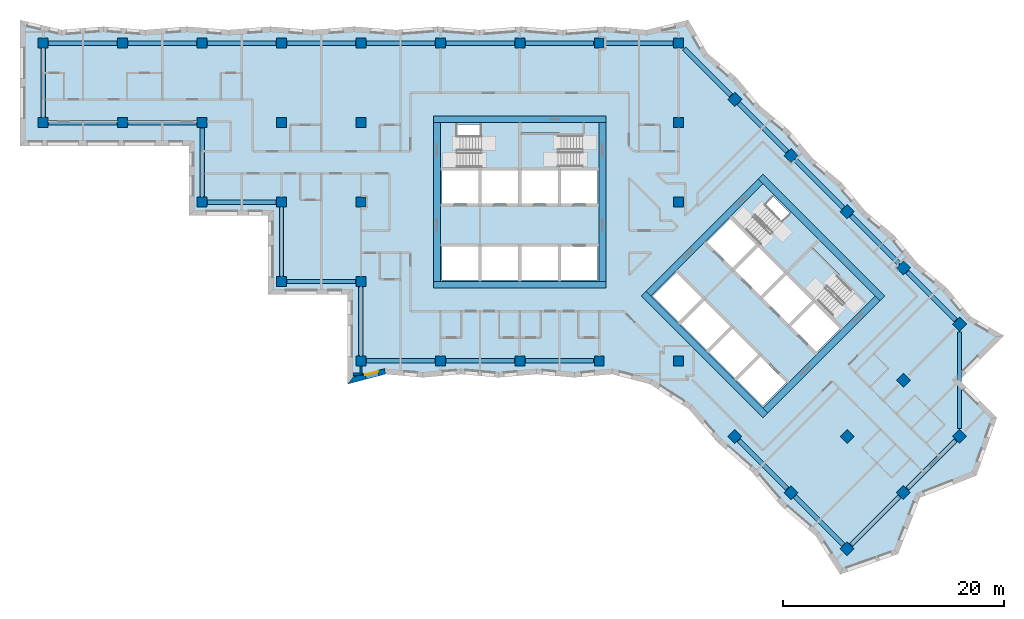
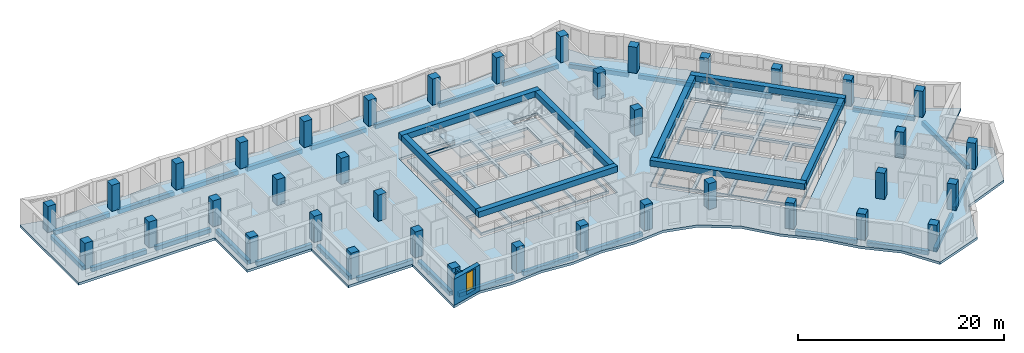
# One storey, part 1 of 12: 38 columns, 37 beams, 7 slabs, 3 walls, 1 window, 23 openings, 4 elements without a shape of their own.
"""IFC4 building model written with IfcOpenShell, lengths in metres."""

from ifc_helpers import new_model, si_unit, direction, frame, frame_2d, origin, origin_2d, place, context, subcontext, project, spatial, polyline, rectangle, outline, extrude, material, layer, layer_set, material_profile, profile_set, type_object, element, fill, aggregate, save


model = new_model("IFC4")

# Units and contexts
model_context = context("Model", 3, precision=1e-05, world=origin(), true_north=direction((0.0, 1.0)))
body_context = subcontext(model_context, "Body", "Model", "MODEL_VIEW")
ifc_project = project(units=[si_unit("LENGTHUNIT", "METRE"), si_unit("AREAUNIT", "SQUARE_METRE"), si_unit("VOLUMEUNIT", "CUBIC_METRE"), si_unit("PLANEANGLEUNIT", "RADIAN"), si_unit("MASSUNIT", "GRAM", prefix="KILO")], contexts=[model_context])

# Site, building, storey
site_placement = place(None, origin())
site = spatial("IfcSite", under=ifc_project, at=site_placement, CompositionType="ELEMENT")
building_placement = place(site_placement, origin())
building = spatial("IfcBuilding", under=site, at=building_placement, Name="Windrow Commons", CompositionType="ELEMENT")
storey_placement = place(building_placement, frame((0.0, 0.0, 135.4)))
storey = spatial("IfcBuildingStorey", under=building, at=storey_placement, Name="L36", CompositionType="ELEMENT", Elevation=135.4)

# Columns
ifc_material_1 = material(Name="Concrete C50/60", Category="concrete")
ifc_material_profile_1 = material_profile(ifc_material_1, rectangle(XDim=0.9, YDim=0.9, at=origin_2d()))
ifc_profile_set_1 = profile_set([ifc_material_profile_1], Name="Concrete C50/60")
column_type = type_object("IfcColumnType", Name="RC COLUMN 900x900 C50/60", PredefinedType="COLUMN", material=ifc_profile_set_1)
for number, where, z_axis, x_axis, name in (
    (1, (21.6, 64.8, 0.0), (0.0, 0.0, 1.0), (1.0, 0.0, 0.0), "C-Z3-04I"),
    (2, (21.6, 72.0, 0.0), (0.0, 0.0, 1.0), (1.0, 0.0, 0.0), "C-Z3-04J"),
    (3, (28.8, 64.8, 0.0), (0.0, 0.0, 1.0), (1.0, 0.0, 0.0), "C-Z3-05I"),
    (4, (28.8, 72.0, 0.0), (0.0, 0.0, 1.0), (1.0, 0.0, 0.0), "C-Z3-05J"),
    (5, (36.0, 57.6, 0.0), (0.0, 0.0, 1.0), (1.0, 0.0, 0.0), "C-Z3-06H"),
    (6, (36.0, 64.8, 0.0), (0.0, 0.0, 1.0), (1.0, 0.0, 0.0), "C-Z3-06I"),
    (7, (36.0, 72.0, 0.0), (0.0, 0.0, 1.0), (1.0, 0.0, 0.0), "C-Z3-06J"),
    (8, (43.2, 50.4, 0.0), (0.0, 0.0, 1.0), (1.0, 0.0, 0.0), "C-Z3-07G"),
    (9, (43.2, 57.6, 0.0), (0.0, 0.0, 1.0), (1.0, 0.0, 0.0), "C-Z3-07H"),
    (10, (43.2, 64.8, 0.0), (0.0, 0.0, 1.0), (1.0, 0.0, 0.0), "C-Z3-07I"),
    (11, (43.2, 72.0, 0.0), (0.0, 0.0, 1.0), (1.0, 0.0, 0.0), "C-Z3-07J"),
    (12, (50.4, 43.2, 0.0), (0.0, 0.0, 1.0), (1.0, 0.0, 0.0), "C-Z3-08F"),
    (13, (50.4, 50.4, 0.0), (0.0, 0.0, 1.0), (1.0, 0.0, 0.0), "C-Z3-08G"),
    (14, (50.4, 57.6, 0.0), (0.0, 0.0, 1.0), (1.0, 0.0, 0.0), "C-Z3-08H"),
    (15, (50.4, 64.8, 0.0), (0.0, 0.0, 1.0), (1.0, 0.0, 0.0), "C-Z3-08I"),
    (16, (50.4, 72.0, 0.0), (0.0, 0.0, 1.0), (1.0, 0.0, 0.0), "C-Z3-08J"),
    (17, (57.6, 43.2, 0.0), (0.0, 0.0, 1.0), (1.0, 0.0, 0.0), "C-Z3-09F"),
    (18, (57.6, 72.0, 0.0), (0.0, 0.0, 1.0), (1.0, 0.0, 0.0), "C-Z3-09J"),
    (19, (64.8, 43.2, 0.0), (0.0, 0.0, 1.0), (1.0, 0.0, 0.0), "C-Z3-10F"),
    (20, (64.8, 72.0, 0.0), (0.0, 0.0, 1.0), (1.0, 0.0, 0.0), "C-Z3-10J"),
    (21, (72.0, 43.2, 0.0), (0.0, 0.0, 1.0), (1.0, 0.0, 0.0), "C-Z3-11F"),
    (22, (72.0, 72.0, 0.0), (0.0, 0.0, 1.0), (1.0, 0.0, 0.0), "C-Z3-11J"),
    (23, (79.2, 43.2, 0.0), (0.0, 0.0, 1.0), (1.0, 0.0, 0.0), "C-Z3-12F"),
    (24, (79.2, 57.6, 0.0), (0.0, 0.0, 1.0), (1.0, 0.0, 0.0), "C-Z3-12H"),
    (25, (79.2, 64.8, 0.0), (0.0, 0.0, 1.0), (1.0, 0.0, 0.0), "C-Z3-12I"),
    (26, (79.2, 72.0, 0.0), (0.0, 0.0, 1.0), (1.0, 0.0, 0.0), "C-Z3-12J"),
    (27, (84.2912, 66.9088, 0.0), (0.0, 0.0, 1.0), (0.7071067812, -0.7071067812, 0.0), "C-Z3-P2Q"),
    (28, (89.3823, 61.8177, 0.0), (0.0, 0.0, 1.0), (0.7071067812, -0.7071067812, 0.0), "C-Z3-P3Q"),
    (29, (94.4735, 56.7265, 0.0), (0.0, 0.0, 1.0), (0.7071067812, -0.7071067812, 0.0), "C-Z3-P4Q"),
    (30, (99.5647, 51.6353, 0.0), (0.0, 0.0, 1.0), (0.7071067812, -0.7071067812, 0.0), "C-Z3-P5Q"),
    (31, (84.2912, 36.3618, 0.0), (0.0, 0.0, 1.0), (0.7071067812, -0.7071067812, 0.0), "C-Z3-P5T"),
    (32, (104.6558, 46.5442, 0.0), (0.0, 0.0, 1.0), (0.7071067812, -0.7071067812, 0.0), "C-Z3-P6Q"),
    (33, (99.5647, 41.453, 0.0), (0.0, 0.0, 1.0), (0.7071067812, -0.7071067812, 0.0), "C-Z3-P6R"),
    (34, (94.4735, 36.3618, 0.0), (0.0, 0.0, 1.0), (0.7071067812, -0.7071067812, 0.0), "C-Z3-P6S"),
    (35, (89.3823, 31.2706, 0.0), (0.0, 0.0, 1.0), (0.7071067812, -0.7071067812, 0.0), "C-Z3-P6T"),
    (36, (104.6558, 36.3618, 0.0), (0.0, 0.0, 1.0), (0.7071067812, -0.7071067812, 0.0), "C-Z3-P7R"),
    (37, (99.5647, 31.2706, 0.0), (0.0, 0.0, 1.0), (0.7071067812, -0.7071067812, 0.0), "C-Z3-P7S"),
    (38, (94.4735, 26.1795, 0.0), (0.0, 0.0, 1.0), (0.7071067812, -0.7071067812, 0.0), "C-Z3-P7T"),
):
    element("IfcColumn", number, at=place(storey_placement, frame(where, z_axis=z_axis, x_axis=x_axis)), inside=storey, type_object=column_type, Name=name, PredefinedType="COLUMN", context=body_context, shape_type="SweptSolid", body=[
        extrude(rectangle(XDim=0.9, YDim=0.9, at=origin_2d()), origin(), (0.0, 0.0, 1.0), 3.1),
    ])

# Beams
ifc_material_2 = material(Name="Concrete C50/60", Category="concrete")
ifc_material_profile_2 = material_profile(ifc_material_2, rectangle(XDim=0.6, YDim=0.7, at=origin_2d()))
ifc_profile_set_2 = profile_set([ifc_material_profile_2], Name="Concrete C50/60")
beam_type_1 = type_object("IfcBeamType", Name="RC COUPLING BEAM 600x700 C50/60", PredefinedType="LINTEL", material=ifc_profile_set_2)
for number, where, z_axis, x_axis, name in (
    (39, (57.0, 50.1, 2.75), (1.0, 0.0, 0.0), (0.0, 1.0, 0.0), "Core A coupling beam outer-S"),
    (40, (57.0, 65.1, 2.75), (1.0, 0.0, 0.0), (0.0, 1.0, 0.0), "Core A coupling beam outer-N"),
):
    element("IfcBeam", number, at=place(storey_placement, frame(where, z_axis=z_axis, x_axis=x_axis)), inside=storey, type_object=beam_type_1, Name=name, PredefinedType="LINTEL", context=body_context, shape_type="SweptSolid", body=[
        extrude(rectangle(XDim=0.6, YDim=0.7, at=origin_2d()), origin(), (0.0, 0.0, 1.0), 15.6),
    ])
for number, where, z_axis, x_axis, name in (
    (41, (57.3, 50.4, 2.75), (0.0, 1.0, 0.0), (-1.0, 0.0, 0.0), "Core A coupling beam outer-W"),
    (42, (72.3, 50.4, 2.75), (0.0, 1.0, 0.0), (-1.0, 0.0, 0.0), "Core A coupling beam outer-E"),
):
    element("IfcBeam", number, at=place(storey_placement, frame(where, z_axis=z_axis, x_axis=x_axis)), inside=storey, type_object=beam_type_1, Name=name, PredefinedType="LINTEL", context=body_context, shape_type="SweptSolid", body=[
        extrude(rectangle(XDim=0.6, YDim=0.7, at=origin_2d()), origin(), (0.0, 0.0, 1.0), 14.4),
    ])
for number, where, z_axis, x_axis, name in (
    (43, (76.018, 49.3019, 2.75), (0.7071067812, -0.7071067812, 0.0), (0.7071067812, 0.7071067812, 0.0), "Core B coupling beam outer-S"),
    (44, (86.6246, 59.9085, 2.75), (0.7071067812, -0.7071067812, 0.0), (0.7071067812, 0.7071067812, 0.0), "Core B coupling beam outer-N"),
):
    element("IfcBeam", number, at=place(storey_placement, frame(where, z_axis=z_axis, x_axis=x_axis)), inside=storey, type_object=beam_type_1, Name=name, PredefinedType="LINTEL", context=body_context, shape_type="SweptSolid", body=[
        extrude(rectangle(XDim=0.6, YDim=0.7, at=origin_2d()), origin(), (0.0, 0.0, 1.0), 15.6),
    ])
for number, where, z_axis, x_axis, name in (
    (45, (76.4423, 49.3019, 2.75), (0.7071067812, 0.7071067812, 0.0), (-0.7071067812, 0.7071067812, 0.0), "Core B coupling beam outer-W"),
    (46, (87.0489, 38.6953, 2.75), (0.7071067812, 0.7071067812, 0.0), (-0.7071067812, 0.7071067812, 0.0), "Core B coupling beam outer-E"),
):
    element("IfcBeam", number, at=place(storey_placement, frame(where, z_axis=z_axis, x_axis=x_axis)), inside=storey, type_object=beam_type_1, Name=name, PredefinedType="LINTEL", context=body_context, shape_type="SweptSolid", body=[
        extrude(rectangle(XDim=0.6, YDim=0.7, at=origin_2d()), origin(), (0.0, 0.0, 1.0), 14.3999),
    ])
ifc_material_3 = material(Name="Concrete C50/60", Category="concrete")
ifc_material_profile_3 = material_profile(ifc_material_3, rectangle(XDim=0.4, YDim=0.5, at=origin_2d()))
ifc_profile_set_3 = profile_set([ifc_material_profile_3], Name="Concrete C50/60")
beam_type_2 = type_object("IfcBeamType", Name="RC EDGE BEAM 400x500 C50/60", PredefinedType="SPANDREL", material=ifc_profile_set_3)
for number, where, z_axis, x_axis, name in (
    (47, (36.0, 58.1, -0.55), (0.0, 1.0, 0.0), (-1.0, 0.0, 0.0), "Edge beam L36 001"),
    (48, (35.5, 64.8, -0.55), (-1.0, 0.0, 0.0), (0.0, -1.0, 0.0), "Edge beam L36 002"),
    (49, (28.3, 64.8, -0.55), (-1.0, 0.0, 0.0), (0.0, -1.0, 0.0), "Edge beam L36 003"),
    (50, (21.6, 65.3, -0.55), (0.0, 1.0, 0.0), (-1.0, 0.0, 0.0), "Edge beam L36 004"),
    (51, (22.1, 72.0, -0.55), (1.0, 0.0, 0.0), (0.0, 1.0, 0.0), "Edge beam L36 005"),
    (52, (29.3, 72.0, -0.55), (1.0, 0.0, 0.0), (0.0, 1.0, 0.0), "Edge beam L36 006"),
    (53, (36.5, 72.0, -0.55), (1.0, 0.0, 0.0), (0.0, 1.0, 0.0), "Edge beam L36 007"),
    (54, (43.7, 72.0, -0.55), (1.0, 0.0, 0.0), (0.0, 1.0, 0.0), "Edge beam L36 008"),
    (55, (50.9, 72.0, -0.55), (1.0, 0.0, 0.0), (0.0, 1.0, 0.0), "Edge beam L36 009"),
    (56, (58.1, 72.0, -0.55), (1.0, 0.0, 0.0), (0.0, 1.0, 0.0), "Edge beam L36 010"),
    (57, (65.3, 72.0, -0.55), (1.0, 0.0, 0.0), (0.0, 1.0, 0.0), "Edge beam L36 011"),
    (58, (72.5, 72.0, -0.55), (1.0, 0.0, 0.0), (0.0, 1.0, 0.0), "Edge beam L36 012"),
):
    element("IfcBeam", number, at=place(storey_placement, frame(where, z_axis=z_axis, x_axis=x_axis)), inside=storey, type_object=beam_type_2, Name=name, PredefinedType="SPANDREL", context=body_context, shape_type="SweptSolid", body=[
        extrude(rectangle(XDim=0.4, YDim=0.5, at=origin_2d()), origin(), (0.0, 0.0, 1.0), 6.2),
    ])
beam_1_placement = place(storey_placement, frame((79.7, 71.5, -0.55), z_axis=(0.7071067812, -0.7071067812, 0.0), x_axis=(0.7071067812, 0.7071067812, 0.0)))
element("IfcBeam", 59, at=beam_1_placement, inside=storey, type_object=beam_type_2, Name="Edge beam L36 013", PredefinedType="SPANDREL", context=body_context, shape_type="SweptSolid", body=[
    extrude(rectangle(XDim=0.4, YDim=0.5, at=origin_2d()), origin(), (0.0, 0.0, 1.0), 5.9929),
])
beam_2_placement = place(storey_placement, frame((84.6448, 66.5552, -0.55), z_axis=(0.7071067812, -0.7071067812, 0.0), x_axis=(0.7071067812, 0.7071067812, 0.0)))
element("IfcBeam", 60, at=beam_2_placement, inside=storey, type_object=beam_type_2, Name="Edge beam L36 014", PredefinedType="SPANDREL", context=body_context, shape_type="SweptSolid", body=[
    extrude(rectangle(XDim=0.4, YDim=0.5, at=origin_2d()), origin(), (0.0, 0.0, 1.0), 6.1998),
])
for number, where, z_axis, x_axis, name in (
    (61, (89.7359, 61.4641, -0.55), (0.7071067812, -0.7071067812, 0.0), (0.7071067812, 0.7071067812, 0.0), "Edge beam L36 015"),
    (62, (94.8271, 56.3729, -0.55), (0.7071067812, -0.7071067812, 0.0), (0.7071067812, 0.7071067812, 0.0), "Edge beam L36 016"),
):
    element("IfcBeam", number, at=place(storey_placement, frame(where, z_axis=z_axis, x_axis=x_axis)), inside=storey, type_object=beam_type_2, Name=name, PredefinedType="SPANDREL", context=body_context, shape_type="SweptSolid", body=[
        extrude(rectangle(XDim=0.4, YDim=0.5, at=origin_2d()), origin(), (0.0, 0.0, 1.0), 6.1999),
    ])
beam_3_placement = place(storey_placement, frame((99.9183, 51.2817, -0.55), z_axis=(0.7071067812, -0.7071067812, 0.0), x_axis=(0.7071067812, 0.7071067812, 0.0)))
element("IfcBeam", 63, at=beam_3_placement, inside=storey, type_object=beam_type_2, Name="Edge beam L36 017", PredefinedType="SPANDREL", context=body_context, shape_type="SweptSolid", body=[
    extrude(rectangle(XDim=0.4, YDim=0.5, at=origin_2d()), origin(), (0.0, 0.0, 1.0), 6.1998),
])
beam_4_placement = place(storey_placement, frame((104.6558, 45.8371, -0.55), z_axis=(0.0, -1.0, 0.0), x_axis=(1.0, 0.0, 0.0)))
element("IfcBeam", 64, at=beam_4_placement, inside=storey, type_object=beam_type_2, Name="Edge beam L36 018", PredefinedType="SPANDREL", context=body_context, shape_type="SweptSolid", body=[
    extrude(rectangle(XDim=0.4, YDim=0.5, at=origin_2d()), origin(), (0.0, 0.0, 1.0), 8.7682),
])
for number, where, z_axis, x_axis, name in (
    (65, (104.3022, 36.0082, -0.55), (-0.7070987164, -0.7071148459, 0.0), (0.7071148459, -0.7070987164, 0.0), "Edge beam L36 019"),
    (66, (99.2111, 30.917, -0.55), (-0.7071148459, -0.7070987164, 0.0), (0.7070987164, -0.7071148459, 0.0), "Edge beam L36 020"),
    (67, (94.1199, 26.5331, -0.55), (-0.7071148459, 0.7070987164, 0.0), (-0.7070987164, -0.7071148459, 0.0), "Edge beam L36 021"),
    (68, (89.0287, 31.6242, -0.55), (-0.7070987164, 0.7071148459, 0.0), (-0.7071148459, -0.7070987164, 0.0), "Edge beam L36 022"),
):
    element("IfcBeam", number, at=place(storey_placement, frame(where, z_axis=z_axis, x_axis=x_axis)), inside=storey, type_object=beam_type_2, Name=name, PredefinedType="SPANDREL", context=body_context, shape_type="SweptSolid", body=[
        extrude(rectangle(XDim=0.4, YDim=0.5, at=origin_2d()), origin(), (0.0, 0.0, 1.0), 6.1998),
    ])
for number, where, z_axis, x_axis, name in (
    (69, (71.5, 43.2, -0.55), (-1.0, 0.0, 0.0), (0.0, -1.0, 0.0), "Edge beam L36 023"),
    (70, (64.3, 43.2, -0.55), (-1.0, 0.0, 0.0), (0.0, -1.0, 0.0), "Edge beam L36 024"),
    (71, (57.1, 43.2, -0.55), (-1.0, 0.0, 0.0), (0.0, -1.0, 0.0), "Edge beam L36 025"),
    (72, (50.4, 43.7, -0.55), (0.0, 1.0, 0.0), (-1.0, 0.0, 0.0), "Edge beam L36 026"),
    (73, (49.9, 50.4, -0.55), (-1.0, 0.0, 0.0), (0.0, -1.0, 0.0), "Edge beam L36 027"),
    (74, (43.2, 50.9, -0.55), (0.0, 1.0, 0.0), (-1.0, 0.0, 0.0), "Edge beam L36 028"),
    (75, (42.7, 57.6, -0.55), (-1.0, 0.0, 0.0), (0.0, -1.0, 0.0), "Edge beam L36 029"),
):
    element("IfcBeam", number, at=place(storey_placement, frame(where, z_axis=z_axis, x_axis=x_axis)), inside=storey, type_object=beam_type_2, Name=name, PredefinedType="SPANDREL", context=body_context, shape_type="SweptSolid", body=[
        extrude(rectangle(XDim=0.4, YDim=0.5, at=origin_2d()), origin(), (0.0, 0.0, 1.0), 6.2),
    ])

# Slab, openings
ifc_material_4 = material(Name="Concrete C50/60", Category="concrete")
ifc_layer_1 = layer(ifc_material_4, 0.3)
ifc_layer_set_1 = layer_set([ifc_layer_1], Name="CORE FLOOR SLAB 300 C50/60")
slab_type_1 = type_object("IfcSlabType", Name="CORE FLOOR SLAB 300 C50/60", PredefinedType="FLOOR", material=ifc_layer_set_1)
placement_1 = place(storey_placement, frame((0.0, 0.0, -0.3)))
slab_1 = element("IfcSlab", 76, at=placement_1, inside=storey, type_object=slab_type_1, Name="S-L36-core-A", PredefinedType="FLOOR", context=body_context, shape_type="SweptSolid", body=[
    extrude(outline(polyline([(57.6, 50.4), (72.0, 50.4), (72.0, 64.8), (57.6, 64.8), (57.6, 50.4)]), holes=[polyline([(57.75, 50.55), (61.05, 50.55), (61.05, 53.55), (57.75, 53.55), (57.75, 50.55)]), polyline([(61.35, 50.55), (64.65, 50.55), (64.65, 53.55), (61.35, 53.55), (61.35, 50.55)]), polyline([(64.95, 50.55), (68.25, 50.55), (68.25, 53.55), (64.95, 53.55), (64.95, 50.55)]), polyline([(68.55, 50.55), (71.85, 50.55), (71.85, 53.55), (68.55, 53.55), (68.55, 50.55)]), polyline([(57.75, 57.45), (61.05, 57.45), (61.05, 60.45), (57.75, 60.45), (57.75, 57.45)]), polyline([(61.35, 57.45), (64.65, 57.45), (64.65, 60.45), (61.35, 60.45), (61.35, 57.45)]), polyline([(64.95, 57.45), (68.25, 57.45), (68.25, 60.45), (64.95, 60.45), (64.95, 57.45)]), polyline([(68.55, 57.45), (71.85, 57.45), (71.85, 60.45), (68.55, 60.45), (68.55, 57.45)]), polyline([(59.1, 60.75), (64.65, 60.75), (64.65, 64.65), (59.1, 64.65), (59.1, 60.75)]), polyline([(64.95, 60.75), (70.5, 60.75), (70.5, 63.705), (64.95, 63.705), (64.95, 60.75)])]), origin(), (0.0, 0.0, 1.0), 0.3),
])
opening_1_placement = place(placement_1, origin())
element("IfcOpeningElement", 77, at=opening_1_placement, cuts=slab_1, Name="Slab opening S-L36-core-A 1", PredefinedType="OPENING", context=body_context, shape_type="SweptSolid", body=[
    extrude(outline(polyline([(57.755, 50.555), (57.755, 53.545), (61.045, 53.545), (61.045, 50.555), (57.755, 50.555)])), origin(), (0.0, 0.0, 1.0), 0.3),
])
opening_2_placement = place(placement_1, origin())
element("IfcOpeningElement", 78, at=opening_2_placement, cuts=slab_1, Name="Slab opening S-L36-core-A 2", PredefinedType="OPENING", context=body_context, shape_type="SweptSolid", body=[
    extrude(outline(polyline([(61.355, 50.555), (61.355, 53.545), (64.645, 53.545), (64.645, 50.555), (61.355, 50.555)])), origin(), (0.0, 0.0, 1.0), 0.3),
])
opening_3_placement = place(placement_1, origin())
element("IfcOpeningElement", 79, at=opening_3_placement, cuts=slab_1, Name="Slab opening S-L36-core-A 3", PredefinedType="OPENING", context=body_context, shape_type="SweptSolid", body=[
    extrude(outline(polyline([(64.955, 50.555), (64.955, 53.545), (68.245, 53.545), (68.245, 50.555), (64.955, 50.555)])), origin(), (0.0, 0.0, 1.0), 0.3),
])
opening_4_placement = place(placement_1, origin())
element("IfcOpeningElement", 80, at=opening_4_placement, cuts=slab_1, Name="Slab opening S-L36-core-A 4", PredefinedType="OPENING", context=body_context, shape_type="SweptSolid", body=[
    extrude(outline(polyline([(68.555, 50.555), (68.555, 53.545), (71.845, 53.545), (71.845, 50.555), (68.555, 50.555)])), origin(), (0.0, 0.0, 1.0), 0.3),
])
opening_5_placement = place(placement_1, origin())
element("IfcOpeningElement", 81, at=opening_5_placement, cuts=slab_1, Name="Slab opening S-L36-core-A 5", PredefinedType="OPENING", context=body_context, shape_type="SweptSolid", body=[
    extrude(outline(polyline([(57.755, 57.455), (57.755, 60.445), (61.045, 60.445), (61.045, 57.455), (57.755, 57.455)])), origin(), (0.0, 0.0, 1.0), 0.3),
])
opening_6_placement = place(placement_1, origin())
element("IfcOpeningElement", 82, at=opening_6_placement, cuts=slab_1, Name="Slab opening S-L36-core-A 6", PredefinedType="OPENING", context=body_context, shape_type="SweptSolid", body=[
    extrude(outline(polyline([(61.355, 57.455), (61.355, 60.445), (64.645, 60.445), (64.645, 57.455), (61.355, 57.455)])), origin(), (0.0, 0.0, 1.0), 0.3),
])
opening_7_placement = place(placement_1, origin())
element("IfcOpeningElement", 83, at=opening_7_placement, cuts=slab_1, Name="Slab opening S-L36-core-A 7", PredefinedType="OPENING", context=body_context, shape_type="SweptSolid", body=[
    extrude(outline(polyline([(64.955, 57.455), (64.955, 60.445), (68.245, 60.445), (68.245, 57.455), (64.955, 57.455)])), origin(), (0.0, 0.0, 1.0), 0.3),
])
opening_8_placement = place(placement_1, origin())
element("IfcOpeningElement", 84, at=opening_8_placement, cuts=slab_1, Name="Slab opening S-L36-core-A 8", PredefinedType="OPENING", context=body_context, shape_type="SweptSolid", body=[
    extrude(outline(polyline([(68.555, 57.455), (68.555, 60.445), (71.845, 60.445), (71.845, 57.455), (68.555, 57.455)])), origin(), (0.0, 0.0, 1.0), 0.3),
])
opening_9_placement = place(placement_1, origin())
element("IfcOpeningElement", 85, at=opening_9_placement, cuts=slab_1, Name="Slab opening S-L36-core-A 9", PredefinedType="OPENING", context=body_context, shape_type="SweptSolid", body=[
    extrude(outline(polyline([(59.105, 60.755), (59.105, 64.645), (64.645, 64.645), (64.645, 60.755), (59.105, 60.755)])), origin(), (0.0, 0.0, 1.0), 0.3),
])
opening_10_placement = place(placement_1, origin())
element("IfcOpeningElement", 86, at=opening_10_placement, cuts=slab_1, Name="Slab opening S-L36-core-A 10", PredefinedType="OPENING", context=body_context, shape_type="SweptSolid", body=[
    extrude(outline(polyline([(64.955, 60.755), (64.955, 63.7), (70.495, 63.7), (70.495, 60.755), (64.955, 60.755)])), origin(), (0.0, 0.0, 1.0), 0.3),
])

slab_2 = element("IfcSlab", 87, at=placement_1, inside=storey, type_object=slab_type_1, Name="S-L36-core-B", PredefinedType="FLOOR", context=body_context, shape_type="SweptSolid", body=[
    extrude(outline(polyline([(76.6544, 49.0897), (86.8368, 38.9074), (97.0191, 49.0897), (86.8368, 59.2721), (76.6544, 49.0897)]), holes=[polyline([(76.8665, 49.0897), (79.2, 46.7563), (81.3213, 48.8776), (78.9879, 51.2111), (76.8665, 49.0897)]), polyline([(79.4121, 46.5442), (81.7456, 44.2107), (83.8669, 46.332), (81.5335, 48.6655), (79.4121, 46.5442)]), polyline([(81.9577, 43.9986), (84.2912, 41.6651), (86.4125, 43.7864), (84.079, 46.1199), (81.9577, 43.9986)]), polyline([(84.5033, 41.453), (86.8368, 39.1195), (88.9581, 41.2409), (86.6246, 43.5743), (84.5033, 41.453)]), polyline([(81.7456, 53.9688), (84.079, 51.6353), (86.2004, 53.7566), (83.8669, 56.0901), (81.7456, 53.9688)]), polyline([(84.2912, 51.4232), (86.6246, 49.0897), (88.7459, 51.2111), (86.4125, 53.5445), (84.2912, 51.4232)]), polyline([(86.8368, 48.8776), (89.1702, 46.5442), (91.2915, 48.6655), (88.9581, 50.9989), (86.8368, 48.8776)]), polyline([(89.3823, 46.332), (91.7158, 43.9986), (93.8371, 46.1199), (91.5037, 48.4533), (89.3823, 46.332)]), polyline([(85.0336, 55.3476), (88.9581, 51.4232), (91.7158, 54.1809), (87.7913, 58.1054), (85.0336, 55.3476)]), polyline([(89.1702, 51.2111), (93.0946, 47.2866), (95.1841, 49.3761), (91.2597, 53.3006), (89.1702, 51.2111)])]), origin(), (0.0, 0.0, 1.0), 0.3),
])
opening_11_placement = place(placement_1, origin())
element("IfcOpeningElement", 88, at=opening_11_placement, cuts=slab_2, Name="Slab opening S-L36-core-B 1", PredefinedType="OPENING", context=body_context, shape_type="SweptSolid", body=[
    extrude(outline(polyline([(76.8736, 49.0897), (78.9879, 51.204), (81.3142, 48.8776), (79.2, 46.7634), (76.8736, 49.0897)])), origin(), (0.0, 0.0, 1.0), 0.3),
])
opening_12_placement = place(placement_1, origin())
element("IfcOpeningElement", 89, at=opening_12_placement, cuts=slab_2, Name="Slab opening S-L36-core-B 2", PredefinedType="OPENING", context=body_context, shape_type="SweptSolid", body=[
    extrude(outline(polyline([(79.4192, 46.5442), (81.5335, 48.6584), (83.8598, 46.332), (81.7456, 44.2178), (79.4192, 46.5442)])), origin(), (0.0, 0.0, 1.0), 0.3),
])
opening_13_placement = place(placement_1, origin())
element("IfcOpeningElement", 90, at=opening_13_placement, cuts=slab_2, Name="Slab opening S-L36-core-B 3", PredefinedType="OPENING", context=body_context, shape_type="SweptSolid", body=[
    extrude(outline(polyline([(81.9648, 43.9986), (84.079, 46.1128), (86.4054, 43.7864), (84.2912, 41.6722), (81.9648, 43.9986)])), origin(), (0.0, 0.0, 1.0), 0.3),
])
opening_14_placement = place(placement_1, origin())
element("IfcOpeningElement", 91, at=opening_14_placement, cuts=slab_2, Name="Slab opening S-L36-core-B 4", PredefinedType="OPENING", context=body_context, shape_type="SweptSolid", body=[
    extrude(outline(polyline([(84.5104, 41.453), (86.6246, 43.5672), (88.951, 41.2409), (86.8368, 39.1266), (84.5104, 41.453)])), origin(), (0.0, 0.0, 1.0), 0.3),
])
opening_15_placement = place(placement_1, origin())
element("IfcOpeningElement", 92, at=opening_15_placement, cuts=slab_2, Name="Slab opening S-L36-core-B 5", PredefinedType="OPENING", context=body_context, shape_type="SweptSolid", body=[
    extrude(outline(polyline([(81.7527, 53.9688), (83.8669, 56.083), (86.1933, 53.7566), (84.079, 51.6424), (81.7527, 53.9688)])), origin(), (0.0, 0.0, 1.0), 0.3),
])
opening_16_placement = place(placement_1, origin())
element("IfcOpeningElement", 93, at=opening_16_placement, cuts=slab_2, Name="Slab opening S-L36-core-B 6", PredefinedType="OPENING", context=body_context, shape_type="SweptSolid", body=[
    extrude(outline(polyline([(84.2983, 51.4232), (86.4125, 53.5374), (88.7388, 51.2111), (86.6246, 49.0968), (84.2983, 51.4232)])), origin(), (0.0, 0.0, 1.0), 0.3),
])
opening_17_placement = place(placement_1, origin())
element("IfcOpeningElement", 94, at=opening_17_placement, cuts=slab_2, Name="Slab opening S-L36-core-B 7", PredefinedType="OPENING", context=body_context, shape_type="SweptSolid", body=[
    extrude(outline(polyline([(86.8439, 48.8776), (88.9581, 50.9918), (91.2844, 48.6655), (89.1702, 46.5513), (86.8439, 48.8776)])), origin(), (0.0, 0.0, 1.0), 0.3),
])
opening_18_placement = place(placement_1, origin())
element("IfcOpeningElement", 95, at=opening_18_placement, cuts=slab_2, Name="Slab opening S-L36-core-B 8", PredefinedType="OPENING", context=body_context, shape_type="SweptSolid", body=[
    extrude(outline(polyline([(89.3894, 46.332), (91.5037, 48.4462), (93.83, 46.1199), (91.7158, 44.0057), (89.3894, 46.332)])), origin(), (0.0, 0.0, 1.0), 0.3),
])
opening_19_placement = place(placement_1, origin())
element("IfcOpeningElement", 96, at=opening_19_placement, cuts=slab_2, Name="Slab opening S-L36-core-B 9", PredefinedType="OPENING", context=body_context, shape_type="SweptSolid", body=[
    extrude(outline(polyline([(85.0407, 55.3476), (87.7913, 58.0983), (91.7087, 54.1809), (88.9581, 51.4303), (85.0407, 55.3476)])), origin(), (0.0, 0.0, 1.0), 0.3),
])
opening_20_placement = place(placement_1, origin())
element("IfcOpeningElement", 97, at=opening_20_placement, cuts=slab_2, Name="Slab opening S-L36-core-B 10", PredefinedType="OPENING", context=body_context, shape_type="SweptSolid", body=[
    extrude(outline(polyline([(89.1773, 51.2111), (91.2597, 53.2935), (95.177, 49.3761), (93.0946, 47.2937), (89.1773, 51.2111)])), origin(), (0.0, 0.0, 1.0), 0.3),
])

# Stair, slab
ifc_material_5 = material(Name="Concrete C40/50", Category="concrete")
stair_type = type_object("IfcStairType", Name="Core stair", PredefinedType="HALF_TURN_STAIR", material=ifc_material_5)
placement_2 = place(storey_placement, origin())
stair_1 = element("IfcStair", 98, at=placement_2, inside=storey, type_object=stair_type, Name="L36 Exit stair A1 core A", PredefinedType="HALF_TURN_STAIR")
ifc_material_6 = material(Name="Concrete C40/50", Category="concrete")
ifc_layer_2 = layer(ifc_material_6, 0.2)
ifc_layer_set_2 = layer_set([ifc_layer_2], Name="Core stair landing")
slab_type_2 = type_object("IfcSlabType", Name="Core stair landing", PredefinedType="LANDING", material=ifc_layer_set_2)
placement_3 = place(storey_placement, frame((0.0, 0.0, 1.5)))
slab_3 = element("IfcSlab", 99, at=placement_3, type_object=slab_type_2, Name="ST-A1 landing 1", PredefinedType="LANDING", context=body_context, shape_type="SweptSolid", body=[
    extrude(outline(polyline([(61.22, 60.5), (64.8, 60.5), (64.8, 64.9), (61.22, 64.9), (61.22, 60.5)])), origin(), (0.0, 0.0, 1.0), 0.2),
])
aggregate(stair_1, [slab_3])

stair_2 = element("IfcStair", 100, at=placement_2, inside=storey, type_object=stair_type, Name="L36 Exit stair A2 core A", PredefinedType="HALF_TURN_STAIR")
slab_4 = element("IfcSlab", 101, at=placement_3, type_object=slab_type_2, Name="ST-A2 landing 1", PredefinedType="LANDING", context=body_context, shape_type="SweptSolid", body=[
    extrude(outline(polyline([(64.8, 60.5), (68.38, 60.5), (68.38, 63.855), (64.8, 63.855), (64.8, 60.5)])), origin(), (0.0, 0.0, 1.0), 0.2),
])
aggregate(stair_2, [slab_4])

stair_3 = element("IfcStair", 102, at=placement_2, inside=storey, type_object=stair_type, Name="L36 Exit stair B1 core B", PredefinedType="HALF_TURN_STAIR")
slab_5 = element("IfcSlab", 103, at=placement_3, type_object=slab_type_2, Name="ST-B1 landing 1", PredefinedType="LANDING", context=body_context, shape_type="SweptSolid", body=[
    extrude(outline(polyline([(86.3559, 53.6718), (88.8874, 51.1403), (91.9986, 54.2516), (89.4672, 56.7831), (86.3559, 53.6718)])), origin(), (0.0, 0.0, 1.0), 0.2),
])
aggregate(stair_3, [slab_5])

stair_4 = element("IfcStair", 104, at=placement_2, inside=storey, type_object=stair_type, Name="L36 Exit stair B2 core B", PredefinedType="HALF_TURN_STAIR")
slab_6 = element("IfcSlab", 105, at=placement_3, type_object=slab_type_2, Name="ST-B2 landing 1", PredefinedType="LANDING", context=body_context, shape_type="SweptSolid", body=[
    extrude(outline(polyline([(88.8874, 51.1403), (91.4188, 48.6089), (93.7911, 50.9812), (91.2597, 53.5127), (88.8874, 51.1403)])), origin(), (0.0, 0.0, 1.0), 0.2),
])
aggregate(stair_4, [slab_6])

# Slab, openings
ifc_material_7 = material(Name="Concrete C50/60", Category="concrete")
ifc_layer_3 = layer(ifc_material_7, 0.3)
ifc_layer_set_3 = layer_set([ifc_layer_3], Name="FLOOR SLAB 300 C50/60")
slab_type_3 = type_object("IfcSlabType", Name="FLOOR SLAB 300 C50/60", PredefinedType="FLOOR", material=ifc_layer_set_3)
slab_7 = element("IfcSlab", 106, at=placement_1, inside=storey, type_object=slab_type_3, Name="S-L36-floor", PredefinedType="FLOOR", context=body_context, shape_type="SweptSolid", body=[
    extrude(outline(polyline([(91.5978, 27.3581), (93.8371, 23.846), (99.0874, 25.7022), (101.085, 30.811), (106.1938, 32.8086), (108.05, 38.0589), (104.6558, 41.453), (108.6864, 45.4835), (105.6653, 47.2318), (103.4927, 49.8286), (100.8959, 52.0012), (98.7233, 54.5981), (96.1265, 56.7706), (93.9539, 59.3675), (91.357, 61.5401), (89.1845, 64.1369), (86.5876, 66.3095), (84.415, 68.9063), (81.8182, 71.0789), (80.0699, 74.1), (76.2843, 73.2), (72.4987, 73.5), (68.713, 73.2), (64.9274, 73.5), (61.1418, 73.2), (57.3562, 73.5), (53.5706, 73.2), (49.7849, 73.5), (45.9993, 73.2), (42.2137, 73.5), (38.4281, 73.2), (34.6425, 73.5), (30.8569, 73.2), (27.0712, 73.5), (23.2856, 73.2), (19.5, 74.1), (19.5, 62.7), (34.8, 62.7), (34.8, 56.4), (42.0, 56.4), (42.0, 49.2), (49.2, 49.2), (49.2, 41.1), (52.6229, 42.0), (56.0458, 41.7), (59.4687, 42.0), (62.8916, 41.7), (66.3144, 42.0), (69.7373, 41.7), (73.1602, 42.0), (76.5831, 41.1), (80.0952, 38.8607), (82.7587, 35.7729), (85.8465, 33.1094), (88.51, 30.0216), (91.5978, 27.3581)]), holes=[polyline([(75.8059, 49.0897), (86.8368, 60.1206), (97.8676, 49.0897), (86.8368, 38.0589), (75.8059, 49.0897)]), polyline([(57.0, 49.8), (57.0, 65.4), (72.6, 65.4), (72.6, 49.8), (57.0, 49.8)])]), origin(), (0.0, 0.0, 1.0), 0.3),
])
opening_21_placement = place(placement_1, origin())
element("IfcOpeningElement", 107, at=opening_21_placement, cuts=slab_7, Name="Slab opening S-L36-floor 1", PredefinedType="OPENING", context=body_context, shape_type="SweptSolid", body=[
    extrude(outline(polyline([(75.813, 49.0897), (86.8368, 60.1135), (97.8605, 49.0897), (86.8368, 38.066), (75.813, 49.0897)])), origin(), (0.0, 0.0, 1.0), 0.3),
])
opening_22_placement = place(placement_1, origin())
element("IfcOpeningElement", 108, at=opening_22_placement, cuts=slab_7, Name="Slab opening S-L36-floor 2", PredefinedType="OPENING", context=body_context, shape_type="SweptSolid", body=[
    extrude(outline(polyline([(57.005, 49.805), (57.005, 65.395), (72.595, 65.395), (72.595, 49.805), (57.005, 49.805)])), origin(), (0.0, 0.0, 1.0), 0.3),
])

# Wall, opening, window
ifc_material_8 = material(Name="Brick masonry, red clay brick", Category="masonry")
ifc_layer_4 = layer(ifc_material_8, 0.5)
ifc_layer_set_4 = layer_set([ifc_layer_4], Name="Brick facade wall 500")
wall_type_1 = type_object("IfcWallType", Name="Brick facade wall 500", PredefinedType="SOLIDWALL", material=ifc_layer_set_4)
wall_1_placement = place(storey_placement, frame((49.45, 41.4242, 0.0), z_axis=(0.0, 0.0, 1.0), x_axis=(0.9671285787, 0.2542878531, 0.0)))
wall_1 = element("IfcWall", 109, at=wall_1_placement, inside=storey, type_object=wall_type_1, Name="Brick facade wall L36 42", PredefinedType="SOLIDWALL", context=body_context, shape_type="SweptSolid", body=[
    extrude(outline(polyline([(-0.3242, -0.25), (3.215, -0.25), (3.302, 0.25), (0.3242, 0.25), (-0.3242, -0.25)])), origin(), (0.0, 0.0, 1.0), 3.1),
])
opening_23_placement = place(wall_1_placement, frame((1.4204, 0.0, 0.45)))
opening_23 = element("IfcOpeningElement", 110, at=opening_23_placement, cuts=wall_1, Name="Opening W7E", PredefinedType="OPENING", context=body_context, shape_type="SweptSolid", body=[
    extrude(rectangle(XDim=1.2, YDim=2.5, at=frame_2d((0.6, 1.25))), frame((0.0, 0.26, 0.0), z_axis=(0.0, -1.0, 0.0), x_axis=(1.0, 0.0, 0.0)), (0.0, 0.0, 1.0), 0.52),
])
ifc_material_9 = material(Name="Clear float glass in anodised aluminium frame", Category="aluminium")
window_type = type_object("IfcWindowType", Name="Window W7 notch 1200x2500", PartitioningType="SINGLE_PANEL", PredefinedType="WINDOW", material=ifc_material_9)
window_placement = place(opening_23_placement, origin())
window = element("IfcWindow", 111, at=window_placement, inside=storey, type_object=window_type, Name="Window L36 42.1", OverallHeight=2.5, OverallWidth=1.2, PartitioningType="SINGLE_PANEL", PredefinedType="WINDOW", context=body_context, shape_type="SweptSolid", body=[
    extrude(rectangle(XDim=1.2, YDim=2.5, at=frame_2d((0.6, 1.25))), frame((0.0, 0.18, 0.0), z_axis=(0.0, -1.0, 0.0), x_axis=(1.0, 0.0, 0.0)), (0.0, 0.0, 1.0), 0.06),
])
fill(opening_23, window)

# Walls
ifc_material_10 = material(Name="Blockwork partition", Category="masonry")
ifc_layer_5 = layer(ifc_material_10, 0.2)
ifc_layer_set_5 = layer_set([ifc_layer_5], Name="IW-PARTY-200")
wall_type_2 = type_object("IfcWallType", Name="IW-PARTY-200", PredefinedType="PARTITIONING", material=ifc_layer_set_5)
wall_2_placement = place(storey_placement, frame((49.7, 42.0, 0.0), z_axis=(0.0, 0.0, 1.0), x_axis=(1.0, 0.0, 0.0)))
element("IfcWall", 112, at=wall_2_placement, inside=storey, type_object=wall_type_2, Name="W-L36-W149", PredefinedType="PARTITIONING", context=body_context, shape_type="SweptSolid", body=[
    extrude(rectangle(XDim=0.9066, YDim=0.2, at=frame_2d((0.4533, 0.0))), origin(), (0.0, 0.0, 1.0), 3.1),
])
wall_3_placement = place(storey_placement, frame((50.4, 41.9325, 0.0), z_axis=(0.0, 0.0, 1.0), x_axis=(0.0, 1.0, 0.0)))
element("IfcWall", 113, at=wall_3_placement, inside=storey, type_object=wall_type_2, Name="W-L36-W150", PredefinedType="PARTITIONING", context=body_context, shape_type="SweptSolid", body=[
    extrude(rectangle(XDim=0.8175, YDim=0.2, at=frame_2d((0.4088, 0.0))), origin(), (0.0, 0.0, 1.0), 3.1),
])

save(model, "model.ifc")
